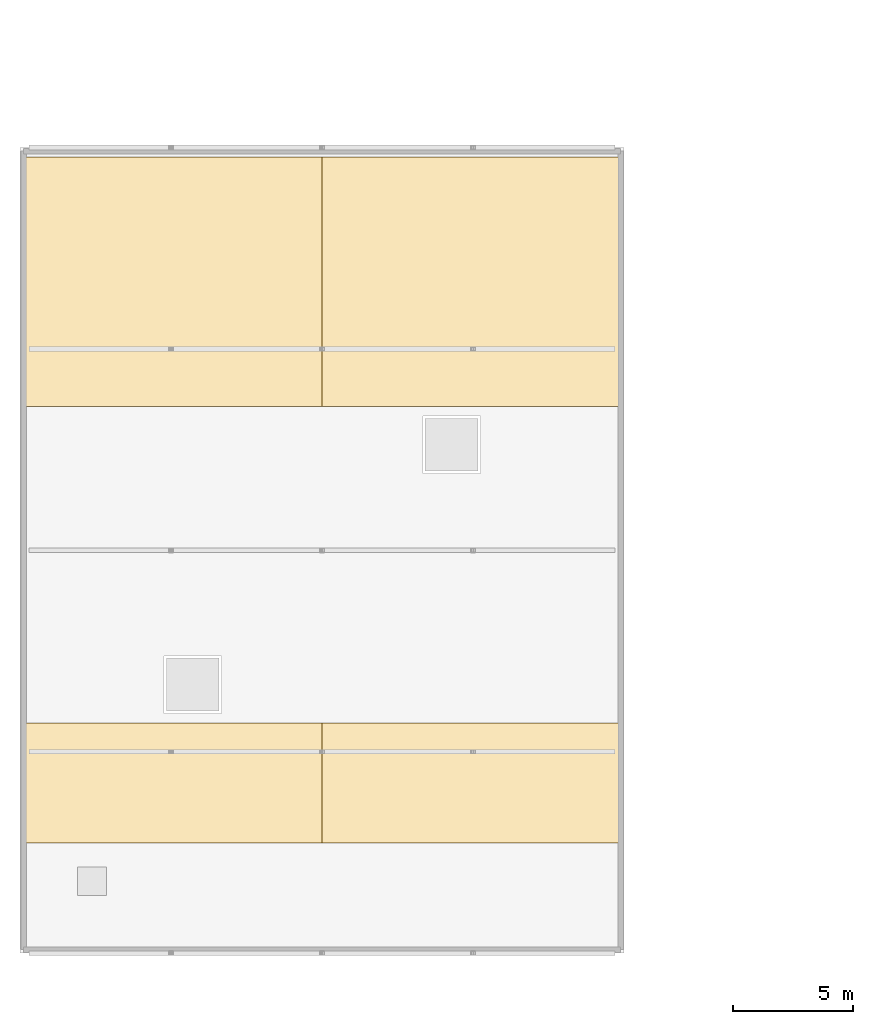
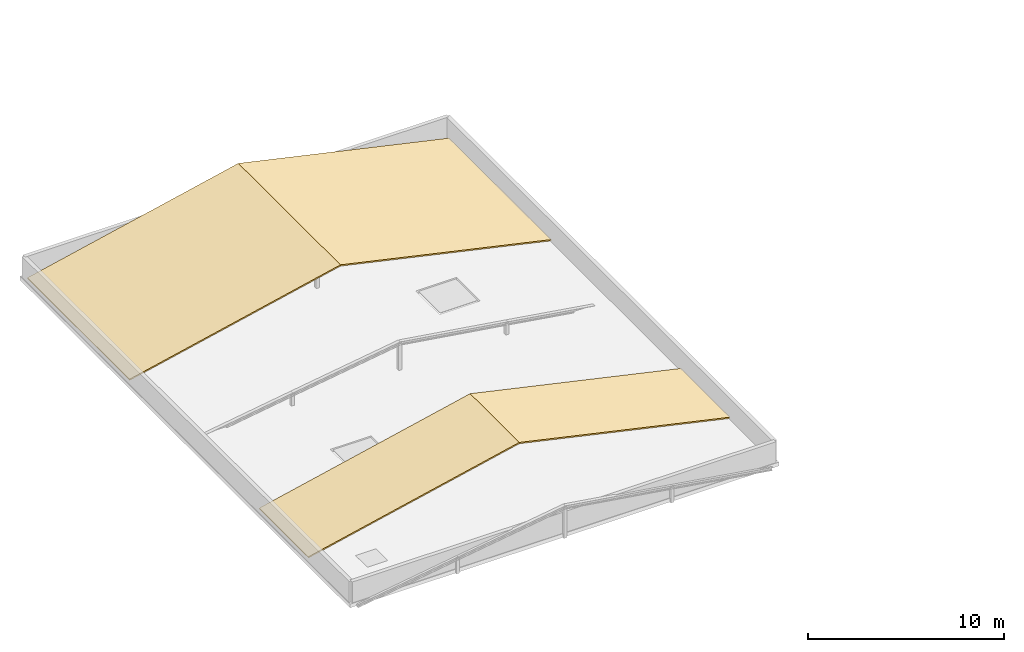
# One storey, part 20 of 21: 4 coverings.
"""IFC4 building model written with IfcOpenShell, lengths in metres."""

from ifc_helpers import new_model, si_unit, direction, frame, origin, place, context, subcontext, project, spatial, polyline, outline, extrude, material, layer, layer_set, type_object, element, save


model = new_model("IFC4")

# Units and contexts
model_context = context("Model", 3, precision=1e-05, world=origin(), true_north=direction((0.0, 1.0)))
body_context = subcontext(model_context, "Body", "Model", "MODEL_VIEW")
ifc_project = project(units=[si_unit("LENGTHUNIT", "METRE"), si_unit("AREAUNIT", "SQUARE_METRE"), si_unit("VOLUMEUNIT", "CUBIC_METRE"), si_unit("PLANEANGLEUNIT", "RADIAN"), si_unit("MASSUNIT", "GRAM", prefix="KILO")], contexts=[model_context])

# Site, building, storey
site_placement = place(None, origin())
site = spatial("IfcSite", under=ifc_project, at=site_placement, CompositionType="ELEMENT")
building_placement = place(site_placement, origin())
building = spatial("IfcBuilding", under=site, at=building_placement, Name="Xuanlan Plaza Opera House", CompositionType="ELEMENT")
storey_placement = place(building_placement, frame((0.0, 0.0, 44.699951171875)))
storey = spatial("IfcBuildingStorey", under=building, at=storey_placement, Name="L10", CompositionType="ELEMENT", Elevation=44.699951171875)

# Coverings
ifc_material = material(Name="Anodised Aluminium 6063-T6", Category="aluminium")
ifc_layer = layer(ifc_material, 0.080078125)
ifc_layer_set = layer_set([ifc_layer], Name="Anodised Aluminium 6063-T6")
covering_type = type_object("IfcCoveringType", Name="ENV-COV-RF02", PredefinedType="ROOFING", material=ifc_layer_set)
covering_1_placement = place(storey_placement, frame((42.199951171875, 46.60009765625, 0.080078125), z_axis=(-0.21801269065, 0.0, 0.97594593432), x_axis=(0.97594593432, 0.0, 0.21801269065)))
element("IfcCovering", 1, at=covering_1_placement, inside=storey, type_object=covering_type, Name="Fly Tower Sculpted Standing-Seam Crown Facet W1", PredefinedType="ROOFING", context=body_context, shape_type="SweptSolid", body=[
    extrude(outline(polyline([(0.0, 0.0), (12.705771958, 0.0), (12.705771958, 5.0), (0.0, 5.0), (0.0, 0.0)])), origin(), (0.0, 0.0, -1.0), 0.080078125),
])
covering_2_placement = place(storey_placement, frame((54.60009765625, 46.60009765625, 2.85009765625), z_axis=(0.21801677906, 0.0, 0.975945021017), x_axis=(0.975945021017, 0.0, -0.21801677906)))
element("IfcCovering", 2, at=covering_2_placement, inside=storey, type_object=covering_type, Name="Fly Tower Sculpted Standing-Seam Crown Facet E1", PredefinedType="ROOFING", context=body_context, shape_type="SweptSolid", body=[
    extrude(outline(polyline([(0.0, 0.0), (12.70553369, 0.0), (12.70553369, 5.0), (0.0, 5.0), (0.0, 0.0)])), origin(), (0.0, 0.0, -1.0), 0.080078125),
])
covering_3_placement = place(storey_placement, frame((42.199951171875, 64.800048828125, 0.080078125), z_axis=(-0.21801269065, 0.0, 0.97594593432), x_axis=(0.97594593432, 0.0, 0.21801269065)))
element("IfcCovering", 3, at=covering_3_placement, inside=storey, type_object=covering_type, Name="Fly Tower Sculpted Standing-Seam Crown Facet W2", PredefinedType="ROOFING", context=body_context, shape_type="SweptSolid", body=[
    extrude(outline(polyline([(0.0, 0.0), (12.705771958, 0.0), (12.705771958, 10.399902344), (0.0, 10.399902344), (0.0, 0.0)])), origin(), (0.0, 0.0, -1.0), 0.080078125),
])
covering_4_placement = place(storey_placement, frame((54.60009765625, 64.800048828125, 2.85009765625), z_axis=(0.21801677906, 0.0, 0.975945021017), x_axis=(0.975945021017, 0.0, -0.21801677906)))
element("IfcCovering", 4, at=covering_4_placement, inside=storey, type_object=covering_type, Name="Fly Tower Sculpted Standing-Seam Crown Facet E2", PredefinedType="ROOFING", context=body_context, shape_type="SweptSolid", body=[
    extrude(outline(polyline([(0.0, 0.0), (12.70553369, 0.0), (12.70553369, 10.399902344), (0.0, 10.399902344), (0.0, 0.0)])), origin(), (0.0, 0.0, -1.0), 0.080078125),
])

save(model, "model.ifc")
